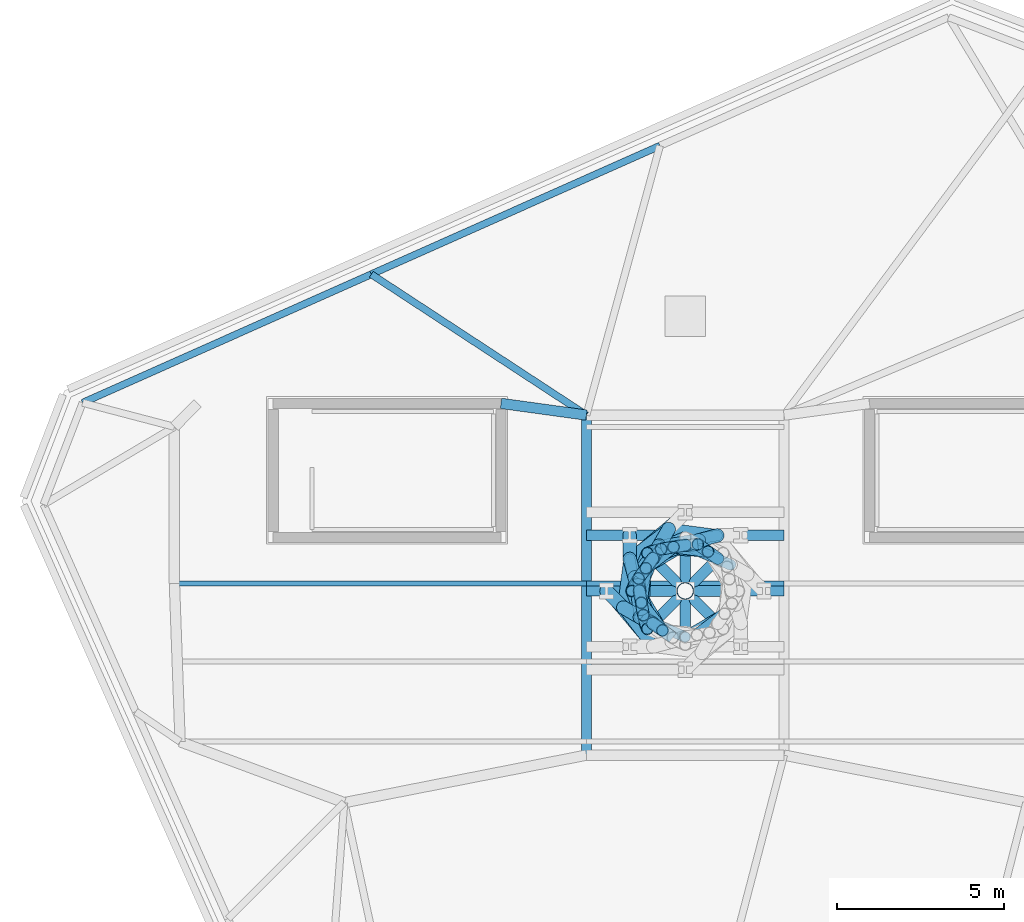
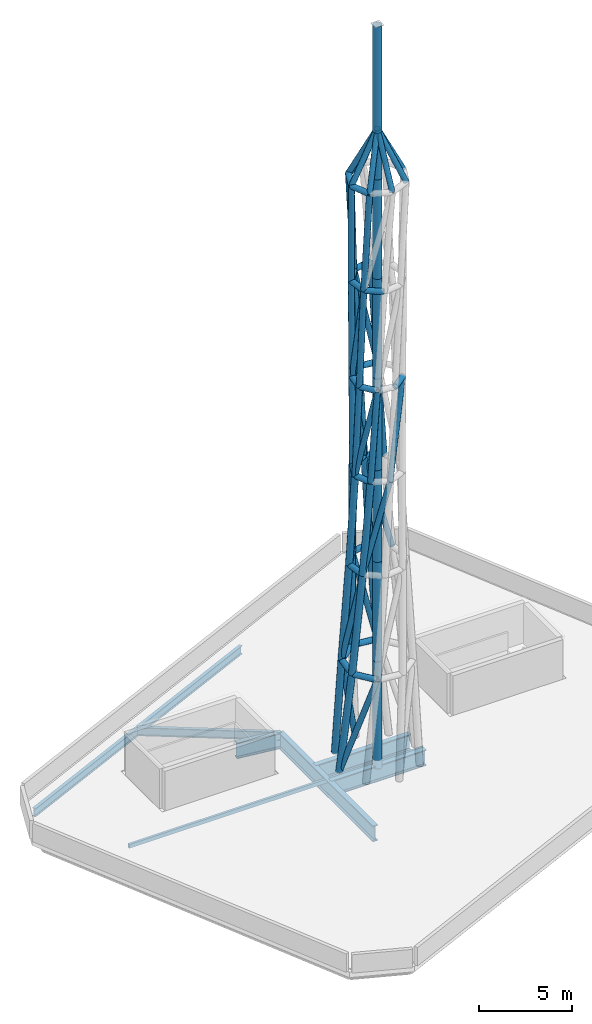
# One storey, part 2 of 5: 75 members, 7 beams.
"""IFC4 building model written with IfcOpenShell, lengths in metres."""

from ifc_helpers import new_model, si_unit, direction, frame, origin, origin_2d, place, context, subcontext, project, spatial, hollow_rectangle, hollow_circle, i_section, extrude, material, material_profile, profile_set, type_object, element, save


model = new_model("IFC4")

# Units and contexts
model_context = context("Model", 3, precision=1e-05, world=origin(), true_north=direction((0.0, 1.0)))
body_context = subcontext(model_context, "Body", "Model", "MODEL_VIEW")
ifc_project = project(units=[si_unit("LENGTHUNIT", "METRE"), si_unit("AREAUNIT", "SQUARE_METRE"), si_unit("VOLUMEUNIT", "CUBIC_METRE"), si_unit("PLANEANGLEUNIT", "RADIAN"), si_unit("MASSUNIT", "GRAM", prefix="KILO")], contexts=[model_context])

# Site, building, storey
site_placement = place(None, origin())
site = spatial("IfcSite", under=ifc_project, at=site_placement, CompositionType="ELEMENT")
building_placement = place(site_placement, origin())
building = spatial("IfcBuilding", under=site, at=building_placement, Name="Menara Jurai Vektor", CompositionType="ELEMENT")
storey_placement = place(building_placement, frame((0.0, 0.0, 312.0)))
storey = spatial("IfcBuildingStorey", under=building, at=storey_placement, Name="Roof", CompositionType="ELEMENT", Elevation=312.0)

# Beams
ifc_material_1 = material(Name="Steel S355", Category="steel")
ifc_material_profile_1 = material_profile(ifc_material_1, i_section(OverallWidth=0.2109375, OverallDepth=0.5390625, WebThickness=0.011962890625, FlangeThickness=0.01904296875, FilletRadius=0.012939453125, at=origin_2d()), Name="UKB 533x210x109")
ifc_profile_set_1 = profile_set([ifc_material_profile_1], Name="Steel S355")
beam_type_1 = type_object("IfcBeamType", Name="STR-BM-533", PredefinedType="BEAM", material=ifc_profile_set_1)
beam_1_placement = place(storey_placement, frame((-0.7548828125, 13.2919921875, -0.619384765625), z_axis=(-0.913546682407, -0.406733892198, 0.0), x_axis=(0.406733892198, -0.913546682407, 0.0)))
element("IfcBeam", 1, at=beam_1_placement, inside=storey, type_object=beam_type_1, Name="Drum Roof Spandrel Beam 10", PredefinedType="SPANDREL", context=body_context, shape_type="SweptSolid", body=[
    extrude(i_section(OverallWidth=0.2109375, OverallDepth=0.5390625, WebThickness=0.011962890625, FlangeThickness=0.01904296875, FilletRadius=0.012939453125, at=origin_2d()), origin(), (0.0, 0.0, 1.0), 9.43359375),
])
beam_2_placement = place(storey_placement, frame((-9.372802734375, 9.455078125, -0.619384765625), z_axis=(-0.913552017411, -0.406721909276, 0.0), x_axis=(0.406721909276, -0.913552017411, 0.0)))
element("IfcBeam", 2, at=beam_2_placement, inside=storey, type_object=beam_type_1, Name="Drum Roof Spandrel Beam 11", PredefinedType="SPANDREL", context=body_context, shape_type="SweptSolid", body=[
    extrude(i_section(OverallWidth=0.2109375, OverallDepth=0.5390625, WebThickness=0.011962890625, FlangeThickness=0.01904296875, FilletRadius=0.012939453125, at=origin_2d()), origin(), (0.0, 0.0, 1.0), 9.43310546875),
])
beam_3_placement = place(storey_placement, frame((-9.372802734375, 9.455078125, -0.619384765625), z_axis=(0.836640042499, -0.547753082408, 0.0), x_axis=(0.547753082408, 0.836640042499, 0.0)))
element("IfcBeam", 3, at=beam_3_placement, inside=storey, type_object=beam_type_1, Name="Drum Roof Radial Girder 11", PredefinedType="BEAM", context=body_context, shape_type="SweptSolid", body=[
    extrude(i_section(OverallWidth=0.2109375, OverallDepth=0.5390625, WebThickness=0.011962890625, FlangeThickness=0.01904296875, FilletRadius=0.012939453125, at=origin_2d()), origin(), (0.0, 0.0, 1.0), 7.677001953125),
])
ifc_material_2 = material(Name="Steel S460", Category="steel")
ifc_material_profile_2 = material_profile(ifc_material_2, i_section(OverallWidth=0.30908203125, OverallDepth=1.035888671875, WebThickness=0.030029296875, FlangeThickness=0.053955078125, FilletRadius=0.030029296875, at=origin_2d()), Name="UKB 1016x305x487")
ifc_profile_set_2 = profile_set([ifc_material_profile_2], Name="Steel S460")
beam_type_2 = type_object("IfcBeamType", Name="STR-BM-TR1016", PredefinedType="BEAM", material=ifc_profile_set_2)
beam_4_placement = place(storey_placement, frame((-5.5, 5.60009765625, -0.867919921875), z_axis=(0.990706818608, -0.136014703483, 0.0), x_axis=(0.136014703483, 0.990706818608, 0.0)))
element("IfcBeam", 4, at=beam_4_placement, inside=storey, type_object=beam_type_2, Name="Core Ring Header Girder Roof-CHW-N2", PredefinedType="BEAM", context=body_context, shape_type="SweptSolid", body=[
    extrude(i_section(OverallWidth=0.30908203125, OverallDepth=1.035888671875, WebThickness=0.030029296875, FlangeThickness=0.053955078125, FilletRadius=0.030029296875, at=origin_2d()), origin(), (0.0, 0.0, 1.0), 2.573974609375),
])
beam_5_placement = place(storey_placement, frame((-2.949951171875, -4.89990234375, -0.867919921875), z_axis=(0.0, 1.0, 0.0), x_axis=(-1.0, 0.0, 0.0)))
element("IfcBeam", 5, at=beam_5_placement, inside=storey, type_object=beam_type_2, Name="Broadcast Mast West Spine Transfer Girder", PredefinedType="BEAM", context=body_context, shape_type="SweptSolid", body=[
    extrude(i_section(OverallWidth=0.30908203125, OverallDepth=1.035888671875, WebThickness=0.030029296875, FlangeThickness=0.053955078125, FilletRadius=0.030029296875, at=origin_2d()), origin(), (0.0, 0.0, 1.0), 10.14990234375),
])
for number, where, z_axis, x_axis, name in (
    (6, (-2.949951171875, 0.0, -0.867919921875), (1.0, 0.0, 0.0), (0.0, 1.0, 0.0), "Broadcast Mast Cross Transfer Girder 3"),
    (7, (-2.949951171875, 1.66162109375, -0.867919921875), (1.0, 0.0, 0.0), (0.0, 1.0, 0.0), "Broadcast Mast Cross Transfer Girder 4"),
):
    element("IfcBeam", number, at=place(storey_placement, frame(where, z_axis=z_axis, x_axis=x_axis)), inside=storey, type_object=beam_type_2, Name=name, PredefinedType="BEAM", context=body_context, shape_type="SweptSolid", body=[
        extrude(i_section(OverallWidth=0.30908203125, OverallDepth=1.035888671875, WebThickness=0.030029296875, FlangeThickness=0.053955078125, FilletRadius=0.030029296875, at=origin_2d()), origin(), (0.0, 0.0, 1.0), 5.89990234375),
    ])

# Members
ifc_material_profile_3 = material_profile(ifc_material_2, hollow_circle(Radius=0.161865234375, WallThickness=0.012451171875, at=origin_2d()), Name="CHS 323.9x12.5")
ifc_profile_set_3 = profile_set([ifc_material_profile_3], Name="Steel S460")
member_type_1 = type_object("IfcMemberType", Name="STR-MAST-DIAG324", PredefinedType="USERDEFINED", material=ifc_profile_set_3)
for number, where, z_axis, x_axis, name in (
    (8, (0.0, 2.35009765625, 0.0), (-0.241787513154, -0.203443612763, 0.948762085514), (0.643826615743, -0.765171411424, 0.0), "Broadcast Mast Lattice Diagonal D1-3"),
    (9, (-2.35009765625, 0.0, 0.0), (0.203443612763, -0.241787513154, 0.948762085514), (0.765171411424, 0.643826615743, 0.0), "Broadcast Mast Lattice Diagonal D1-5"),
):
    element("IfcMember", number, at=place(storey_placement, frame(where, z_axis=z_axis, x_axis=x_axis)), inside=storey, type_object=member_type_1, Name=name, ObjectType="MAST", PredefinedType="USERDEFINED", context=body_context, shape_type="SweptSolid", body=[
        extrude(hollow_circle(Radius=0.161865234375, WallThickness=0.012451171875, at=origin_2d()), origin(), (0.0, 0.0, 1.0), 6.85107421875),
    ])
for number, where, z_axis, x_axis, name in (
    (10, (0.956298828125, 1.656494140625, 6.5), (-0.257985687246, -0.045021529234, 0.965099190281), (0.17191360704, -0.985112030032, 0.0), "Broadcast Mast Lattice Diagonal D2-2"),
    (11, (-1.656494140625, 0.956298828125, 6.5), (0.045021529234, -0.257985687246, 0.965099190281), (0.985112030032, 0.17191360704, 0.0), "Broadcast Mast Lattice Diagonal D2-4"),
):
    element("IfcMember", number, at=place(storey_placement, frame(where, z_axis=z_axis, x_axis=x_axis)), inside=storey, type_object=member_type_1, Name=name, ObjectType="MAST", PredefinedType="USERDEFINED", context=body_context, shape_type="SweptSolid", body=[
        extrude(hollow_circle(Radius=0.161865234375, WallThickness=0.012451171875, at=origin_2d()), origin(), (0.0, 0.0, 1.0), 6.735107421875),
    ])
for number, where, z_axis, x_axis, name in (
    (12, (1.353271484375, 0.78125, 13.0), (-0.21899955761, 0.096125910818, 0.970978374134), (-0.401919121784, -0.915675171414, 0.0), "Broadcast Mast Lattice Diagonal D3-1"),
    (13, (-0.78125, 1.353271484375, 13.0), (-0.096125910818, -0.21899955761, 0.970978374134), (0.915675171414, -0.401919121784, 0.0), "Broadcast Mast Lattice Diagonal D3-3"),
    (14, (-1.353271484375, -0.78125, 13.0), (0.21899955761, -0.096125910818, 0.970978374134), (0.401919121784, 0.915675171414, 0.0), "Broadcast Mast Lattice Diagonal D3-5"),
):
    element("IfcMember", number, at=place(storey_placement, frame(where, z_axis=z_axis, x_axis=x_axis)), inside=storey, type_object=member_type_1, Name=name, ObjectType="MAST", PredefinedType="USERDEFINED", context=body_context, shape_type="SweptSolid", body=[
        extrude(hollow_circle(Radius=0.161865234375, WallThickness=0.012451171875, at=origin_2d()), origin(), (0.0, 0.0, 1.0), 6.179443359375),
    ])
for number, where, z_axis, x_axis, name in (
    (15, (0.0, 1.375244140625, 19.0), (-0.191341001479, -0.113027267927, 0.974994080935), (0.508603003187, -0.861001152815, 0.0), "Broadcast Mast Lattice Diagonal D4-2"),
    (16, (-1.375244140625, 0.0, 19.0), (0.113027267927, -0.191341001479, 0.974994080935), (0.861001152815, 0.508603003187, 0.0), "Broadcast Mast Lattice Diagonal D4-4"),
    (17, (0.0, -1.375244140625, 19.0), (0.191341001479, 0.113027267927, 0.974994080935), (-0.508603003187, 0.861001152815, 0.0), "Broadcast Mast Lattice Diagonal D4-6"),
):
    element("IfcMember", number, at=place(storey_placement, frame(where, z_axis=z_axis, x_axis=x_axis)), inside=storey, type_object=member_type_1, Name=name, ObjectType="MAST", PredefinedType="USERDEFINED", context=body_context, shape_type="SweptSolid", body=[
        extrude(hollow_circle(Radius=0.161865234375, WallThickness=0.012451171875, at=origin_2d()), origin(), (0.0, 0.0, 1.0), 6.15380859375),
    ])
for number, where, z_axis, x_axis, name in (
    (18, (0.6796875, 1.177490234375, 25.0), (-0.210705038761, 0.010867518988, 0.977489275477), (-0.051508464396, -0.998672557997, 0.0), "Broadcast Mast Lattice Diagonal D5-1"),
    (19, (-1.177490234375, 0.6796875, 25.0), (-0.010867518988, -0.210705038761, 0.977489275477), (0.998672557997, -0.051508464396, 0.0), "Broadcast Mast Lattice Diagonal D5-3"),
):
    element("IfcMember", number, at=place(storey_placement, frame(where, z_axis=z_axis, x_axis=x_axis)), inside=storey, type_object=member_type_1, Name=name, ObjectType="MAST", PredefinedType="USERDEFINED", context=body_context, shape_type="SweptSolid", body=[
        extrude(hollow_circle(Radius=0.161865234375, WallThickness=0.012451171875, at=origin_2d()), origin(), (0.0, 0.0, 1.0), 6.649658203125),
    ])
member_1_placement = place(storey_placement, frame((-0.721435546875, 1.249755859375, 31.5), z_axis=(-0.13159297077, -0.18716988535, 0.973473535368), x_axis=(0.818051480086, -0.575145004264, 0.0)))
element("IfcMember", 20, at=member_1_placement, inside=storey, type_object=member_type_1, Name="Broadcast Mast Lattice Diagonal D6-2", ObjectType="MAST", PredefinedType="USERDEFINED", context=body_context, shape_type="SweptSolid", body=[
    extrude(hollow_circle(Radius=0.161865234375, WallThickness=0.012451171875, at=origin_2d()), origin(), (0.0, 0.0, 1.0), 6.677001953125),
])
for number, where, z_axis, x_axis, name in (
    (21, (0.0, 1.60009765625, 38.0), (0.0, -0.447240891043, 0.894413542708), (1.0, 0.0, 0.0), "Broadcast Mast Crown Strut 1"),
    (22, (-1.13134765625, 1.13134765625, 38.0), (0.316226439939, -0.316226439939, 0.894428128676), (0.707106781187, 0.707106781187, 0.0), "Broadcast Mast Crown Strut 2"),
    (23, (-1.60009765625, 0.0, 38.0), (0.447240891043, 0.0, 0.894413542708), (0.0, 1.0, 0.0), "Broadcast Mast Crown Strut 3"),
    (24, (-1.13134765625, -1.13134765625, 38.0), (0.316226439939, 0.316226439939, 0.894428128676), (-0.707106781187, 0.707106781187, 0.0), "Broadcast Mast Crown Strut 4"),
    (25, (0.0, -1.60009765625, 38.0), (0.0, 0.447240891043, 0.894413542708), (-1.0, 0.0, 0.0), "Broadcast Mast Crown Strut 5"),
    (26, (1.13134765625, -1.13134765625, 38.0), (-0.316226439939, 0.316226439939, 0.894428128676), (-0.707106781187, -0.707106781187, 0.0), "Broadcast Mast Crown Strut 6"),
    (27, (1.60009765625, 0.0, 38.0), (-0.447240891043, 0.0, 0.894413542708), (0.0, -1.0, 0.0), "Broadcast Mast Crown Strut 7"),
    (28, (1.13134765625, 1.13134765625, 38.0), (-0.316226439939, -0.316226439939, 0.894428128676), (0.707106781187, -0.707106781187, 0.0), "Broadcast Mast Crown Strut 8"),
):
    element("IfcMember", number, at=place(storey_placement, frame(where, z_axis=z_axis, x_axis=x_axis)), inside=storey, type_object=member_type_1, Name=name, ObjectType="MAST", PredefinedType="USERDEFINED", context=body_context, shape_type="SweptSolid", body=[
        extrude(hollow_circle(Radius=0.161865234375, WallThickness=0.012451171875, at=origin_2d()), origin(), (0.0, 0.0, 1.0), 3.57763671875),
    ])
ifc_material_profile_4 = material_profile(ifc_material_2, hollow_circle(Radius=0.177734375, WallThickness=0.01611328125, at=origin_2d()), Name="CHS 355.6x16")
ifc_profile_set_4 = profile_set([ifc_material_profile_4], Name="Steel S460")
member_type_2 = type_object("IfcMemberType", Name="STR-MAST-LEG356", PredefinedType="USERDEFINED", material=ifc_profile_set_4)
for number, where, z_axis, x_axis, name in (
    (29, (0.972412109375, 0.972412109375, 19.0), (-0.048701104335, 0.034119205706, 0.998230475511), (-0.573783208201, -0.819007222182, 0.0), "Broadcast Mast Hyperboloid Leg T4-1"),
    (30, (0.0, 1.375244140625, 19.0), (-0.058530791442, -0.010317016673, 0.998232290411), (0.173590393345, -0.984817940199, 0.0), "Broadcast Mast Hyperboloid Leg T4-2"),
    (31, (-0.972412109375, 0.972412109375, 19.0), (-0.034119205706, -0.048701104335, 0.998230475511), (0.819007222182, -0.573783208201, 0.0), "Broadcast Mast Hyperboloid Leg T4-3"),
    (32, (-1.375244140625, 0.0, 19.0), (0.010317016673, -0.058530791442, 0.998232290411), (0.984817940199, 0.173590393345, 0.0), "Broadcast Mast Hyperboloid Leg T4-4"),
    (33, (-0.972412109375, -0.972412109375, 19.0), (0.048701104335, -0.034119205706, 0.998230475511), (0.573783208201, 0.819007222182, 0.0), "Broadcast Mast Hyperboloid Leg T4-5"),
):
    element("IfcMember", number, at=place(storey_placement, frame(where, z_axis=z_axis, x_axis=x_axis)), inside=storey, type_object=member_type_2, Name=name, ObjectType="MAST", PredefinedType="USERDEFINED", context=body_context, shape_type="SweptSolid", body=[
        extrude(hollow_circle(Radius=0.177734375, WallThickness=0.01611328125, at=origin_2d()), origin(), (0.0, 0.0, 1.0), 6.0107421875),
    ])
for number, where, z_axis, x_axis, name in (
    (34, (0.6796875, 1.177490234375, 25.0), (-0.047022230208, 0.033223043034, 0.99834119382), (-0.577041124989, -0.816715091125, 0.0), "Broadcast Mast Hyperboloid Leg T5-1"),
    (35, (-0.351806640625, 1.313232421875, 25.0), (-0.056771564768, -0.009749410066, 0.998339590739), (0.169252899601, -0.98557265383, 0.0), "Broadcast Mast Hyperboloid Leg T5-2"),
    (36, (-1.177490234375, 0.6796875, 25.0), (-0.033223043034, -0.047022230208, 0.99834119382), (0.816715091125, -0.577041124989, 0.0), "Broadcast Mast Hyperboloid Leg T5-3"),
    (37, (-1.313232421875, -0.351806640625, 25.0), (0.009749410066, -0.056771564768, 0.998339590739), (0.98557265383, 0.169252899601, 0.0), "Broadcast Mast Hyperboloid Leg T5-4"),
):
    element("IfcMember", number, at=place(storey_placement, frame(where, z_axis=z_axis, x_axis=x_axis)), inside=storey, type_object=member_type_2, Name=name, ObjectType="MAST", PredefinedType="USERDEFINED", context=body_context, shape_type="SweptSolid", body=[
        extrude(hollow_circle(Radius=0.177734375, WallThickness=0.01611328125, at=origin_2d()), origin(), (0.0, 0.0, 1.0), 6.5107421875),
    ])
for number, where, z_axis, x_axis, name in (
    (38, (-0.721435546875, 1.249755859375, 31.5), (-0.062927973921, -0.018177526713, 0.997852517971), (0.27751618061, -0.960720963391, 0.0), "Broadcast Mast Hyperboloid Leg T6-2"),
    (39, (-1.393798828125, 0.37353515625, 31.5), (-0.031670109203, -0.057343511338, 0.997852056114), (0.875368983751, -0.48345541913, 0.0), "Broadcast Mast Hyperboloid Leg T6-3"),
    (40, (-1.249755859375, -0.721435546875, 31.5), (0.018177526713, -0.062927973921, 0.997852517971), (0.960720963391, 0.27751618061, 0.0), "Broadcast Mast Hyperboloid Leg T6-4"),
):
    element("IfcMember", number, at=place(storey_placement, frame(where, z_axis=z_axis, x_axis=x_axis)), inside=storey, type_object=member_type_2, Name=name, ObjectType="MAST", PredefinedType="USERDEFINED", context=body_context, shape_type="SweptSolid", body=[
        extrude(hollow_circle(Radius=0.177734375, WallThickness=0.01611328125, at=origin_2d()), origin(), (0.0, 0.0, 1.0), 6.513916015625),
    ])
ifc_material_profile_5 = material_profile(ifc_material_2, hollow_circle(Radius=0.203125, WallThickness=0.01611328125, at=origin_2d()), Name="CHS 406.4x16")
ifc_profile_set_5 = profile_set([ifc_material_profile_5], Name="Steel S460")
member_type_3 = type_object("IfcMemberType", Name="STR-MAST-LEG406", PredefinedType="USERDEFINED", material=ifc_profile_set_5)
for number, where, z_axis, x_axis, name in (
    (41, (-1.66162109375, 1.66162109375, 0.0), (0.000784158685, -0.107877830526, 0.994163849059), (0.999973582221, 0.007268759165, 0.0), "Broadcast Mast Hyperboloid Leg T1-4"),
    (42, (-2.35009765625, 0.0, 0.0), (0.076847476877, -0.075727251266, 0.994162888421), (0.701896183111, 0.712279262743, 0.0), "Broadcast Mast Hyperboloid Leg T1-5"),
):
    element("IfcMember", number, at=place(storey_placement, frame(where, z_axis=z_axis, x_axis=x_axis)), inside=storey, type_object=member_type_3, Name=name, ObjectType="MAST", PredefinedType="USERDEFINED", context=body_context, shape_type="SweptSolid", body=[
        extrude(hollow_circle(Radius=0.203125, WallThickness=0.01611328125, at=origin_2d()), origin(), (0.0, 0.0, 1.0), 6.5380859375),
    ])
for number, where, z_axis, x_axis, name in (
    (43, (0.956298828125, 1.656494140625, 6.5), (-0.084597322801, -0.022524364585, 0.996160602501), (0.257290214822, -0.966334178924, 0.0), "Broadcast Mast Hyperboloid Leg T2-2"),
    (44, (-0.4951171875, 1.84765625, 6.5), (-0.043851430453, -0.075767189989, 0.996160822844), (0.865494555793, -0.500918330562, 0.0), "Broadcast Mast Hyperboloid Leg T2-3"),
    (45, (-1.656494140625, 0.956298828125, 6.5), (0.022524364585, -0.084597322801, 0.996160602501), (0.966334178924, 0.257290214822, 0.0), "Broadcast Mast Hyperboloid Leg T2-4"),
    (46, (-1.84765625, -0.4951171875, 6.5), (0.075767189989, -0.043851430453, 0.996160822844), (0.500918330562, 0.865494555793, 0.0), "Broadcast Mast Hyperboloid Leg T2-5"),
):
    element("IfcMember", number, at=place(storey_placement, frame(where, z_axis=z_axis, x_axis=x_axis)), inside=storey, type_object=member_type_3, Name=name, ObjectType="MAST", PredefinedType="USERDEFINED", context=body_context, shape_type="SweptSolid", body=[
        extrude(hollow_circle(Radius=0.203125, WallThickness=0.01611328125, at=origin_2d()), origin(), (0.0, 0.0, 1.0), 6.525146484375),
    ])
for number, where, z_axis, x_axis, name in (
    (47, (0.404296875, 1.509521484375, 13.0), (-0.067213603922, -0.02232335879, 0.997488846604), (0.315196028436, -0.949026587435, 0.0), "Broadcast Mast Hyperboloid Leg T3-2"),
    (48, (-0.78125, 1.353271484375, 13.0), (-0.031780296826, -0.063317066474, 0.997487324143), (0.893738642871, -0.448588049595, 0.0), "Broadcast Mast Hyperboloid Leg T3-3"),
    (49, (-1.509521484375, 0.404296875, 13.0), (0.02232335879, -0.067213603922, 0.997488846604), (0.949026587435, 0.315196028436, 0.0), "Broadcast Mast Hyperboloid Leg T3-4"),
    (50, (-1.353271484375, -0.78125, 13.0), (0.063317066474, -0.031780296826, 0.997487324143), (0.448588049595, 0.893738642871, 0.0), "Broadcast Mast Hyperboloid Leg T3-5"),
):
    element("IfcMember", number, at=place(storey_placement, frame(where, z_axis=z_axis, x_axis=x_axis)), inside=storey, type_object=member_type_3, Name=name, ObjectType="MAST", PredefinedType="USERDEFINED", context=body_context, shape_type="SweptSolid", body=[
        extrude(hollow_circle(Radius=0.203125, WallThickness=0.01611328125, at=origin_2d()), origin(), (0.0, 0.0, 1.0), 6.01513671875),
    ])
ifc_material_profile_6 = material_profile(ifc_material_2, hollow_circle(Radius=0.25390625, WallThickness=0.02001953125, at=origin_2d()), Name="CHS 508x20")
ifc_profile_set_6 = profile_set([ifc_material_profile_6], Name="Steel S460")
member_type_4 = type_object("IfcMemberType", Name="STR-MAST-PIN508", PredefinedType="USERDEFINED", material=ifc_profile_set_6)
member_2_placement = place(storey_placement, frame((0.0, 0.0, -0.5), z_axis=(0.0, 0.0, 1.0), x_axis=(1.0, 0.0, 0.0)))
element("IfcMember", 51, at=member_2_placement, inside=storey, type_object=member_type_4, Name="Broadcast Mast Central Pinnacle Spine T1", ObjectType="MAST", PredefinedType="USERDEFINED", context=body_context, shape_type="SweptSolid", body=[
    extrude(hollow_circle(Radius=0.25390625, WallThickness=0.02001953125, at=origin_2d()), origin(), (0.0, 0.0, 1.0), 7.0),
])
member_3_placement = place(storey_placement, frame((0.0, 0.0, 6.5), z_axis=(0.0, 0.0, 1.0), x_axis=(1.0, 0.0, 0.0)))
element("IfcMember", 52, at=member_3_placement, inside=storey, type_object=member_type_4, Name="Broadcast Mast Central Pinnacle Spine T2", ObjectType="MAST", PredefinedType="USERDEFINED", context=body_context, shape_type="SweptSolid", body=[
    extrude(hollow_circle(Radius=0.25390625, WallThickness=0.02001953125, at=origin_2d()), origin(), (0.0, 0.0, 1.0), 6.5),
])
for number, where, z_axis, x_axis, name in (
    (53, (0.0, 0.0, 13.0), (0.0, 0.0, 1.0), (1.0, 0.0, 0.0), "Broadcast Mast Central Pinnacle Spine T3"),
    (54, (0.0, 0.0, 19.0), (0.0, 0.0, 1.0), (1.0, 0.0, 0.0), "Broadcast Mast Central Pinnacle Spine T4"),
):
    element("IfcMember", number, at=place(storey_placement, frame(where, z_axis=z_axis, x_axis=x_axis)), inside=storey, type_object=member_type_4, Name=name, ObjectType="MAST", PredefinedType="USERDEFINED", context=body_context, shape_type="SweptSolid", body=[
        extrude(hollow_circle(Radius=0.25390625, WallThickness=0.02001953125, at=origin_2d()), origin(), (0.0, 0.0, 1.0), 6.0),
    ])
for number, where, z_axis, x_axis, name in (
    (55, (0.0, 0.0, 25.0), (0.0, 0.0, 1.0), (1.0, 0.0, 0.0), "Broadcast Mast Central Pinnacle Spine T5"),
    (56, (0.0, 0.0, 31.5), (0.0, 0.0, 1.0), (1.0, 0.0, 0.0), "Broadcast Mast Central Pinnacle Spine T6"),
):
    element("IfcMember", number, at=place(storey_placement, frame(where, z_axis=z_axis, x_axis=x_axis)), inside=storey, type_object=member_type_4, Name=name, ObjectType="MAST", PredefinedType="USERDEFINED", context=body_context, shape_type="SweptSolid", body=[
        extrude(hollow_circle(Radius=0.25390625, WallThickness=0.02001953125, at=origin_2d()), origin(), (0.0, 0.0, 1.0), 6.5),
    ])
member_4_placement = place(storey_placement, frame((0.0, 0.0, 38.0), z_axis=(0.0, 0.0, 1.0), x_axis=(1.0, 0.0, 0.0)))
element("IfcMember", 57, at=member_4_placement, inside=storey, type_object=member_type_4, Name="Broadcast Mast Central Pinnacle Spine T7", ObjectType="MAST", PredefinedType="USERDEFINED", context=body_context, shape_type="SweptSolid", body=[
    extrude(hollow_circle(Radius=0.25390625, WallThickness=0.02001953125, at=origin_2d()), origin(), (0.0, 0.0, 1.0), 10.0),
])
ifc_material_profile_7 = material_profile(ifc_material_2, hollow_circle(Radius=0.177734375, WallThickness=0.01611328125, at=origin_2d()), Name="CHS 355.6x16")
ifc_profile_set_7 = profile_set([ifc_material_profile_7], Name="Steel S460")
member_type_5 = type_object("IfcMemberType", Name="STR-MAST-RING356", PredefinedType="USERDEFINED", material=ifc_profile_set_7)
member_5_placement = place(storey_placement, frame((0.956298828125, 1.656494140625, 6.5), z_axis=(-0.991437826512, 0.130579616175, 0.0), x_axis=(-0.130579616175, -0.991437826512, 0.0)))
element("IfcMember", 58, at=member_5_placement, inside=storey, type_object=member_type_5, Name="Broadcast Mast Stiffener Ring R1-2", ObjectType="MAST", PredefinedType="USERDEFINED", context=body_context, shape_type="SweptSolid", body=[
    extrude(hollow_circle(Radius=0.177734375, WallThickness=0.01611328125, at=origin_2d()), origin(), (0.0, 0.0, 1.0), 1.4638671875),
])
member_6_placement = place(storey_placement, frame((-0.4951171875, 1.84765625, 6.5), z_axis=(-0.793286848438, -0.608848073081, 0.0), x_axis=(0.608848073081, -0.793286848438, 0.0)))
element("IfcMember", 59, at=member_6_placement, inside=storey, type_object=member_type_5, Name="Broadcast Mast Stiffener Ring R1-3", ObjectType="MAST", PredefinedType="USERDEFINED", context=body_context, shape_type="SweptSolid", body=[
    extrude(hollow_circle(Radius=0.177734375, WallThickness=0.01611328125, at=origin_2d()), origin(), (0.0, 0.0, 1.0), 1.464111328125),
])
member_7_placement = place(storey_placement, frame((-1.656494140625, 0.956298828125, 6.5), z_axis=(-0.130579616175, -0.991437826512, 0.0), x_axis=(0.991437826512, -0.130579616175, 0.0)))
element("IfcMember", 60, at=member_7_placement, inside=storey, type_object=member_type_5, Name="Broadcast Mast Stiffener Ring R1-4", ObjectType="MAST", PredefinedType="USERDEFINED", context=body_context, shape_type="SweptSolid", body=[
    extrude(hollow_circle(Radius=0.177734375, WallThickness=0.01611328125, at=origin_2d()), origin(), (0.0, 0.0, 1.0), 1.4638671875),
])
member_8_placement = place(storey_placement, frame((-1.84765625, -0.4951171875, 6.5), z_axis=(0.608848073081, -0.793286848438, 0.0), x_axis=(0.793286848438, 0.608848073081, 0.0)))
element("IfcMember", 61, at=member_8_placement, inside=storey, type_object=member_type_5, Name="Broadcast Mast Stiffener Ring R1-5", ObjectType="MAST", PredefinedType="USERDEFINED", context=body_context, shape_type="SweptSolid", body=[
    extrude(hollow_circle(Radius=0.177734375, WallThickness=0.01611328125, at=origin_2d()), origin(), (0.0, 0.0, 1.0), 1.464111328125),
])
member_9_placement = place(storey_placement, frame((0.404296875, 1.509521484375, 13.0), z_axis=(-0.991426476541, -0.130665762971, 0.0), x_axis=(0.130665762971, -0.991426476541, 0.0)))
element("IfcMember", 62, at=member_9_placement, inside=storey, type_object=member_type_5, Name="Broadcast Mast Stiffener Ring R2-2", ObjectType="MAST", PredefinedType="USERDEFINED", context=body_context, shape_type="SweptSolid", body=[
    extrude(hollow_circle(Radius=0.177734375, WallThickness=0.01611328125, at=origin_2d()), origin(), (0.0, 0.0, 1.0), 1.19580078125),
])
member_10_placement = place(storey_placement, frame((-0.78125, 1.353271484375, 13.0), z_axis=(-0.608812810957, -0.793313910892, 0.0), x_axis=(0.793313910892, -0.608812810957, 0.0)))
element("IfcMember", 63, at=member_10_placement, inside=storey, type_object=member_type_5, Name="Broadcast Mast Stiffener Ring R2-3", ObjectType="MAST", PredefinedType="USERDEFINED", context=body_context, shape_type="SweptSolid", body=[
    extrude(hollow_circle(Radius=0.177734375, WallThickness=0.01611328125, at=origin_2d()), origin(), (0.0, 0.0, 1.0), 1.1962890625),
])
member_11_placement = place(storey_placement, frame((-1.509521484375, 0.404296875, 13.0), z_axis=(0.130665762971, -0.991426476541, 0.0), x_axis=(0.991426476541, 0.130665762971, 0.0)))
element("IfcMember", 64, at=member_11_placement, inside=storey, type_object=member_type_5, Name="Broadcast Mast Stiffener Ring R2-4", ObjectType="MAST", PredefinedType="USERDEFINED", context=body_context, shape_type="SweptSolid", body=[
    extrude(hollow_circle(Radius=0.177734375, WallThickness=0.01611328125, at=origin_2d()), origin(), (0.0, 0.0, 1.0), 1.19580078125),
])
for number, where, z_axis, x_axis, name in (
    (65, (0.972412109375, 0.972412109375, 19.0), (-0.92386416514, 0.382720530374, 0.0), (-0.382720530374, -0.92386416514, 0.0), "Broadcast Mast Stiffener Ring R3-1"),
    (66, (0.0, 1.375244140625, 19.0), (-0.92386416514, -0.382720530374, 0.0), (0.382720530374, -0.92386416514, 0.0), "Broadcast Mast Stiffener Ring R3-2"),
    (67, (-0.972412109375, 0.972412109375, 19.0), (-0.382720530374, -0.92386416514, 0.0), (0.92386416514, -0.382720530374, 0.0), "Broadcast Mast Stiffener Ring R3-3"),
    (68, (-1.375244140625, 0.0, 19.0), (0.382720530374, -0.92386416514, 0.0), (0.92386416514, 0.382720530374, 0.0), "Broadcast Mast Stiffener Ring R3-4"),
):
    element("IfcMember", number, at=place(storey_placement, frame(where, z_axis=z_axis, x_axis=x_axis)), inside=storey, type_object=member_type_5, Name=name, ObjectType="MAST", PredefinedType="USERDEFINED", context=body_context, shape_type="SweptSolid", body=[
        extrude(hollow_circle(Radius=0.177734375, WallThickness=0.01611328125, at=origin_2d()), origin(), (0.0, 0.0, 1.0), 1.052490234375),
    ])
member_12_placement = place(storey_placement, frame((0.6796875, 1.177490234375, 25.0), z_axis=(-0.991451899223, 0.130472723306, 0.0), x_axis=(-0.130472723306, -0.991451899223, 0.0)))
element("IfcMember", 69, at=member_12_placement, inside=storey, type_object=member_type_5, Name="Broadcast Mast Stiffener Ring R4-1", ObjectType="MAST", PredefinedType="USERDEFINED", context=body_context, shape_type="SweptSolid", body=[
    extrude(hollow_circle(Radius=0.177734375, WallThickness=0.01611328125, at=origin_2d()), origin(), (0.0, 0.0, 1.0), 1.040283203125),
])
member_13_placement = place(storey_placement, frame((-0.351806640625, 1.313232421875, 25.0), z_axis=(-0.793364655364, -0.608746682635, 0.0), x_axis=(0.608746682635, -0.793364655364, 0.0)))
element("IfcMember", 70, at=member_13_placement, inside=storey, type_object=member_type_5, Name="Broadcast Mast Stiffener Ring R4-2", ObjectType="MAST", PredefinedType="USERDEFINED", context=body_context, shape_type="SweptSolid", body=[
    extrude(hollow_circle(Radius=0.177734375, WallThickness=0.01611328125, at=origin_2d()), origin(), (0.0, 0.0, 1.0), 1.040771484375),
])
member_14_placement = place(storey_placement, frame((-1.177490234375, 0.6796875, 25.0), z_axis=(-0.130472723306, -0.991451899223, 0.0), x_axis=(0.991451899223, -0.130472723306, 0.0)))
element("IfcMember", 71, at=member_14_placement, inside=storey, type_object=member_type_5, Name="Broadcast Mast Stiffener Ring R4-3", ObjectType="MAST", PredefinedType="USERDEFINED", context=body_context, shape_type="SweptSolid", body=[
    extrude(hollow_circle(Radius=0.177734375, WallThickness=0.01611328125, at=origin_2d()), origin(), (0.0, 0.0, 1.0), 1.040283203125),
])
for number, where, z_axis, x_axis, name in (
    (72, (-1.313232421875, -0.351806640625, 25.0), (0.608746682635, -0.793364655364, 0.0), (0.793364655364, 0.608746682635, 0.0), "Broadcast Mast Stiffener Ring R4-4"),
    (73, (0.351806640625, -1.313232421875, 25.0), (0.793364655364, 0.608746682635, 0.0), (-0.608746682635, 0.793364655364, 0.0), "Broadcast Mast Stiffener Ring R4-6"),
):
    element("IfcMember", number, at=place(storey_placement, frame(where, z_axis=z_axis, x_axis=x_axis)), inside=storey, type_object=member_type_5, Name=name, ObjectType="MAST", PredefinedType="USERDEFINED", context=body_context, shape_type="SweptSolid", body=[
        extrude(hollow_circle(Radius=0.177734375, WallThickness=0.01611328125, at=origin_2d()), origin(), (0.0, 0.0, 1.0), 1.040771484375),
    ])
for number, where, z_axis, x_axis, name in (
    (74, (0.37353515625, 1.393798828125, 31.5), (-0.991458057228, -0.130425920572, 0.0), (0.130425920572, -0.991458057228, 0.0), "Broadcast Mast Stiffener Ring R5-1"),
    (75, (-0.721435546875, 1.249755859375, 31.5), (-0.608770255439, -0.793346567455, 0.0), (0.793346567455, -0.608770255439, 0.0), "Broadcast Mast Stiffener Ring R5-2"),
    (76, (-1.393798828125, 0.37353515625, 31.5), (0.130425920572, -0.991458057228, 0.0), (0.991458057228, 0.130425920572, 0.0), "Broadcast Mast Stiffener Ring R5-3"),
    (77, (-1.249755859375, -0.721435546875, 31.5), (0.793346567455, -0.608770255439, 0.0), (0.608770255439, 0.793346567455, 0.0), "Broadcast Mast Stiffener Ring R5-4"),
):
    element("IfcMember", number, at=place(storey_placement, frame(where, z_axis=z_axis, x_axis=x_axis)), inside=storey, type_object=member_type_5, Name=name, ObjectType="MAST", PredefinedType="USERDEFINED", context=body_context, shape_type="SweptSolid", body=[
        extrude(hollow_circle(Radius=0.177734375, WallThickness=0.01611328125, at=origin_2d()), origin(), (0.0, 0.0, 1.0), 1.1044921875),
    ])
for number, where, z_axis, x_axis, name in (
    (78, (0.0, 1.60009765625, 38.0), (-0.923841864246, -0.382774358945, 0.0), (0.382774358945, -0.923841864246, 0.0), "Broadcast Mast Stiffener Ring R6-1"),
    (79, (-1.13134765625, 1.13134765625, 38.0), (-0.382774358945, -0.923841864246, 0.0), (0.923841864246, -0.382774358945, 0.0), "Broadcast Mast Stiffener Ring R6-2"),
    (80, (-1.60009765625, 0.0, 38.0), (0.382774358945, -0.923841864246, 0.0), (0.923841864246, 0.382774358945, 0.0), "Broadcast Mast Stiffener Ring R6-3"),
):
    element("IfcMember", number, at=place(storey_placement, frame(where, z_axis=z_axis, x_axis=x_axis)), inside=storey, type_object=member_type_5, Name=name, ObjectType="MAST", PredefinedType="USERDEFINED", context=body_context, shape_type="SweptSolid", body=[
        extrude(hollow_circle(Radius=0.177734375, WallThickness=0.01611328125, at=origin_2d()), origin(), (0.0, 0.0, 1.0), 1.224609375),
    ])
ifc_material_profile_8 = material_profile(ifc_material_1, hollow_rectangle(XDim=0.14990234375, YDim=0.25, WallThickness=0.010009765625, at=origin_2d()), Name="RHS 250x150x10")
ifc_profile_set_8 = profile_set([ifc_material_profile_8], Name="Steel S355")
member_type_6 = type_object("IfcMemberType", Name="STR-PR-RHS250", PredefinedType="PURLIN", material=ifc_profile_set_8)
member_15_placement = place(storey_placement, frame((-15.25, 0.219970703125, -0.48291015625), z_axis=(1.0, 0.0, 0.0), x_axis=(0.0, 1.0, 0.0)))
element("IfcMember", 81, at=member_15_placement, inside=storey, type_object=member_type_6, Name="Drum Roof Structural Purlin PR-07", PredefinedType="PURLIN", context=body_context, shape_type="SweptSolid", body=[
    extrude(hollow_rectangle(XDim=0.14990234375, YDim=0.25, WallThickness=0.010009765625, at=origin_2d()), origin(), (0.0, 0.0, 1.0), 12.300048828125),
])
member_16_placement = place(storey_placement, frame((-2.949951171875, 0.219970703125, -0.48291015625), z_axis=(1.0, 0.0, 0.0), x_axis=(0.0, 1.0, 0.0)))
element("IfcMember", 82, at=member_16_placement, inside=storey, type_object=member_type_6, Name="Drum Roof Structural Purlin PR-08", PredefinedType="PURLIN", context=body_context, shape_type="SweptSolid", body=[
    extrude(hollow_rectangle(XDim=0.14990234375, YDim=0.25, WallThickness=0.010009765625, at=origin_2d()), origin(), (0.0, 0.0, 1.0), 5.89990234375),
])

save(model, "model.ifc")
